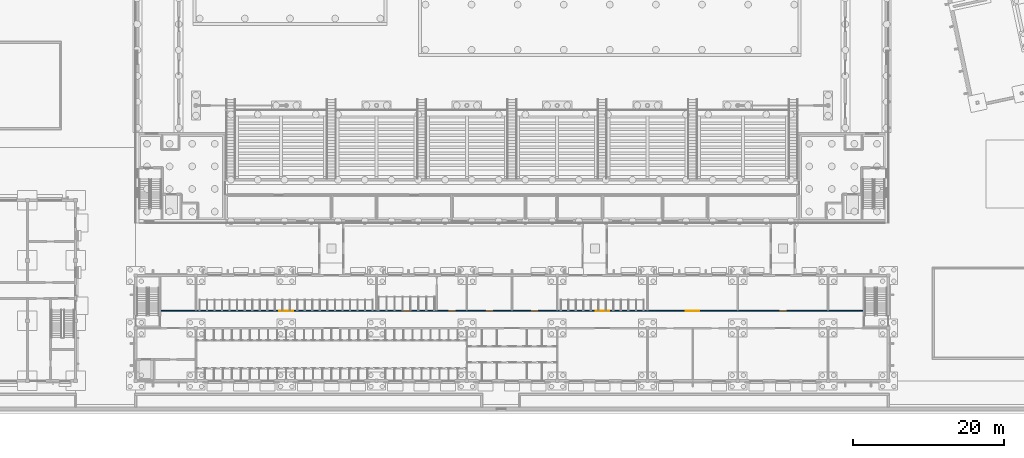
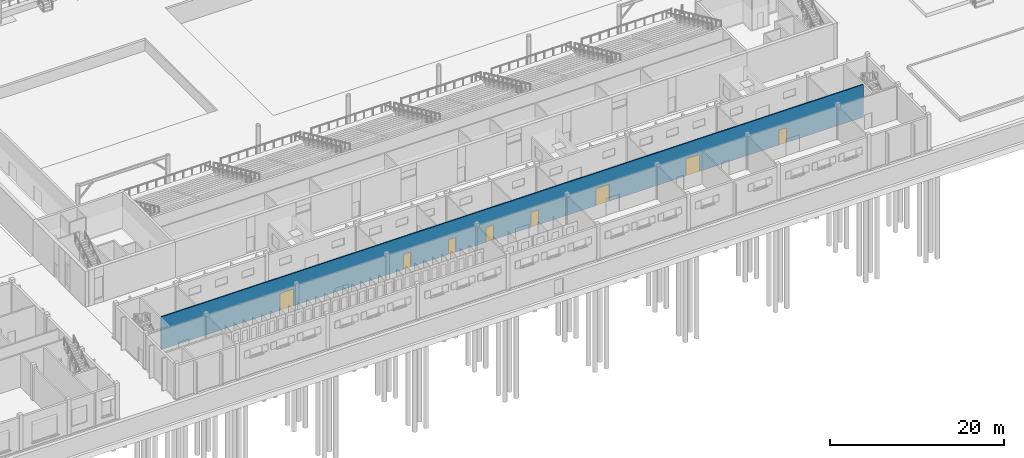
# One storey, part 87 of 157: 8 doors, 1 wall, 8 openings.
"""IFC4 building model written with IfcOpenShell, lengths in metres."""

from ifc_helpers import new_model, si_unit, direction, frame, frame_2d, origin, place, context, subcontext, project, spatial, rectangle, extrude, material, layer, layer_set, type_object, element, fill, save


model = new_model("IFC4")

# Units and contexts
model_context = context("Model", 3, precision=1e-05, world=origin(), true_north=direction((0.0, 1.0)))
body_context = subcontext(model_context, "Body", "Model", "MODEL_VIEW")
ifc_project = project(units=[si_unit("LENGTHUNIT", "METRE"), si_unit("AREAUNIT", "SQUARE_METRE"), si_unit("VOLUMEUNIT", "CUBIC_METRE"), si_unit("PLANEANGLEUNIT", "RADIAN"), si_unit("MASSUNIT", "GRAM", prefix="KILO")], contexts=[model_context])

# Site, building, storey
site_placement = place(None, origin())
site = spatial("IfcSite", under=ifc_project, at=site_placement, CompositionType="ELEMENT")
building_placement = place(site_placement, origin())
building = spatial("IfcBuilding", under=site, at=building_placement, Name="Windward Yard Aquatics Centre", CompositionType="ELEMENT")
storey_placement = place(building_placement, origin())
storey = spatial("IfcBuildingStorey", under=building, at=storey_placement, Name="L00", CompositionType="ELEMENT", Elevation=0.0)

# Wall, openings, doors
ifc_material_1 = material(Name="Concrete masonry unit plastered", Category="masonry")
ifc_layer = layer(ifc_material_1, 0.14990234375)
ifc_layer_set = layer_set([ifc_layer], Name="C block partition 150")
wall_type = type_object("IfcWallType", Name="C block partition 150", PredefinedType="PARTITIONING", material=ifc_layer_set)
wall_placement = place(storey_placement, frame((55.300048828125, 14.300048828125, 0.0), z_axis=(0.0, 0.0, 1.0), x_axis=(1.0, 0.0, 0.0)))
wall = element("IfcWall", 1, at=wall_placement, inside=storey, type_object=wall_type, Name="C.W.L00.SP.N.1", PredefinedType="PARTITIONING", context=body_context, shape_type="SweptSolid", body=[
    extrude(rectangle(XDim=93.39990234375, YDim=0.14990234375, at=frame_2d((46.699951171875, 0.0))), origin(), (0.0, 0.0, 1.0), 4.60009765625),
])
opening_1_placement = place(wall_placement, frame((15.800048828125, 0.0, 0.0)))
opening_1 = element("IfcOpeningElement", 2, at=opening_1_placement, cuts=wall, Name="Opening C0015", PredefinedType="OPENING", context=body_context, shape_type="SweptSolid", body=[
    extrude(rectangle(XDim=1.800048828125, YDim=2.39990234375, at=frame_2d((0.89990234375, 1.199951171875))), frame((0.0, 0.0849609375, 0.0), z_axis=(0.0, -1.0, 0.0), x_axis=(1.0, 0.0, 0.0)), (0.0, 0.0, 1.0), 0.169921875),
])
opening_2_placement = place(wall_placement, frame((32.199951171875, 0.0, 0.0)))
opening_2 = element("IfcOpeningElement", 3, at=opening_2_placement, cuts=wall, Name="Opening C0016", PredefinedType="OPENING", context=body_context, shape_type="SweptSolid", body=[
    extrude(rectangle(XDim=1.0, YDim=2.10009765625, at=frame_2d((0.5, 1.050048828125))), frame((0.0, 0.0849609375, 0.0), z_axis=(0.0, -1.0, 0.0), x_axis=(1.0, 0.0, 0.0)), (0.0, 0.0, 1.0), 0.169921875),
])
opening_3_placement = place(wall_placement, frame((38.199951171875, 0.0, 0.0)))
opening_3 = element("IfcOpeningElement", 4, at=opening_3_placement, cuts=wall, Name="Opening C0017", PredefinedType="OPENING", context=body_context, shape_type="SweptSolid", body=[
    extrude(rectangle(XDim=1.0, YDim=2.10009765625, at=frame_2d((0.5, 1.050048828125))), frame((0.0, 0.0849609375, 0.0), z_axis=(0.0, -1.0, 0.0), x_axis=(1.0, 0.0, 0.0)), (0.0, 0.0, 1.0), 0.169921875),
])
opening_4_placement = place(wall_placement, frame((43.199951171875, 0.0, 0.0)))
opening_4 = element("IfcOpeningElement", 5, at=opening_4_placement, cuts=wall, Name="Opening C0018", PredefinedType="OPENING", context=body_context, shape_type="SweptSolid", body=[
    extrude(rectangle(XDim=1.0, YDim=2.10009765625, at=frame_2d((0.5, 1.050048828125))), frame((0.0, 0.0849609375, 0.0), z_axis=(0.0, -1.0, 0.0), x_axis=(1.0, 0.0, 0.0)), (0.0, 0.0, 1.0), 0.169921875),
])
opening_5_placement = place(wall_placement, frame((49.199951171875, 0.0, 0.0)))
opening_5 = element("IfcOpeningElement", 6, at=opening_5_placement, cuts=wall, Name="Opening C0019", PredefinedType="OPENING", context=body_context, shape_type="SweptSolid", body=[
    extrude(rectangle(XDim=1.0, YDim=2.10009765625, at=frame_2d((0.5, 1.050048828125))), frame((0.0, 0.0849609375, 0.0), z_axis=(0.0, -1.0, 0.0), x_axis=(1.0, 0.0, 0.0)), (0.0, 0.0, 1.0), 0.169921875),
])
opening_6_placement = place(wall_placement, frame((57.800048828125, 0.0, 0.0)))
opening_6 = element("IfcOpeningElement", 7, at=opening_6_placement, cuts=wall, Name="Opening C0020", PredefinedType="OPENING", context=body_context, shape_type="SweptSolid", body=[
    extrude(rectangle(XDim=1.800048828125, YDim=2.39990234375, at=frame_2d((0.89990234375, 1.199951171875))), frame((0.0, 0.0849609375, 0.0), z_axis=(0.0, -1.0, 0.0), x_axis=(1.0, 0.0, 0.0)), (0.0, 0.0, 1.0), 0.169921875),
])
opening_7_placement = place(wall_placement, frame((69.800048828125, 0.0, 0.0)))
opening_7 = element("IfcOpeningElement", 8, at=opening_7_placement, cuts=wall, Name="Opening C0021", PredefinedType="OPENING", context=body_context, shape_type="SweptSolid", body=[
    extrude(rectangle(XDim=1.800048828125, YDim=2.39990234375, at=frame_2d((0.89990234375, 1.199951171875))), frame((0.0, 0.0849609375, 0.0), z_axis=(0.0, -1.0, 0.0), x_axis=(1.0, 0.0, 0.0)), (0.0, 0.0, 1.0), 0.169921875),
])
opening_8_placement = place(wall_placement, frame((82.199951171875, 0.0, 0.0)))
opening_8 = element("IfcOpeningElement", 9, at=opening_8_placement, cuts=wall, Name="Opening C0022", PredefinedType="OPENING", context=body_context, shape_type="SweptSolid", body=[
    extrude(rectangle(XDim=1.0, YDim=2.10009765625, at=frame_2d((0.5, 1.050048828125))), frame((0.0, 0.0849609375, 0.0), z_axis=(0.0, -1.0, 0.0), x_axis=(1.0, 0.0, 0.0)), (0.0, 0.0, 1.0), 0.169921875),
])
ifc_material_2 = material(Name="Timber door leaf in steel frame", Category="steel")
door_type_1 = type_object("IfcDoorType", Name="C door 1000X2100 FD30S", OperationType="SINGLE_SWING_LEFT", PredefinedType="DOOR", material=ifc_material_2)
door_1_placement = place(opening_2_placement, origin())
door_1 = element("IfcDoor", 10, at=door_1_placement, inside=storey, type_object=door_type_1, Name="Door C0016", OperationType="SINGLE_SWING_LEFT", OverallHeight=2.10009765625, OverallWidth=1.0, PredefinedType="DOOR", context=body_context, shape_type="SweptSolid", body=[
    extrude(rectangle(XDim=1.0, YDim=2.10009765625, at=frame_2d((0.5, 1.050048828125))), frame((0.0, 0.02490234375, 0.0), z_axis=(0.0, -1.0, 0.0), x_axis=(1.0, 0.0, 0.0)), (0.0, 0.0, 1.0), 0.050048828125),
])
fill(opening_2, door_1)
door_2_placement = place(opening_3_placement, origin())
door_2 = element("IfcDoor", 11, at=door_2_placement, inside=storey, type_object=door_type_1, Name="Door C0017", OperationType="SINGLE_SWING_LEFT", OverallHeight=2.10009765625, OverallWidth=1.0, PredefinedType="DOOR", context=body_context, shape_type="SweptSolid", body=[
    extrude(rectangle(XDim=1.0, YDim=2.10009765625, at=frame_2d((0.5, 1.050048828125))), frame((0.0, 0.02490234375, 0.0), z_axis=(0.0, -1.0, 0.0), x_axis=(1.0, 0.0, 0.0)), (0.0, 0.0, 1.0), 0.050048828125),
])
fill(opening_3, door_2)
door_3_placement = place(opening_4_placement, origin())
door_3 = element("IfcDoor", 12, at=door_3_placement, inside=storey, type_object=door_type_1, Name="Door C0018", OperationType="SINGLE_SWING_LEFT", OverallHeight=2.10009765625, OverallWidth=1.0, PredefinedType="DOOR", context=body_context, shape_type="SweptSolid", body=[
    extrude(rectangle(XDim=1.0, YDim=2.10009765625, at=frame_2d((0.5, 1.050048828125))), frame((0.0, 0.02490234375, 0.0), z_axis=(0.0, -1.0, 0.0), x_axis=(1.0, 0.0, 0.0)), (0.0, 0.0, 1.0), 0.050048828125),
])
fill(opening_4, door_3)
door_4_placement = place(opening_5_placement, origin())
door_4 = element("IfcDoor", 13, at=door_4_placement, inside=storey, type_object=door_type_1, Name="Door C0019", OperationType="SINGLE_SWING_LEFT", OverallHeight=2.10009765625, OverallWidth=1.0, PredefinedType="DOOR", context=body_context, shape_type="SweptSolid", body=[
    extrude(rectangle(XDim=1.0, YDim=2.10009765625, at=frame_2d((0.5, 1.050048828125))), frame((0.0, 0.02490234375, 0.0), z_axis=(0.0, -1.0, 0.0), x_axis=(1.0, 0.0, 0.0)), (0.0, 0.0, 1.0), 0.050048828125),
])
fill(opening_5, door_4)
door_5_placement = place(opening_8_placement, origin())
door_5 = element("IfcDoor", 14, at=door_5_placement, inside=storey, type_object=door_type_1, Name="Door C0022", OperationType="SINGLE_SWING_LEFT", OverallHeight=2.10009765625, OverallWidth=1.0, PredefinedType="DOOR", context=body_context, shape_type="SweptSolid", body=[
    extrude(rectangle(XDim=1.0, YDim=2.10009765625, at=frame_2d((0.5, 1.050048828125))), frame((0.0, 0.02490234375, 0.0), z_axis=(0.0, -1.0, 0.0), x_axis=(1.0, 0.0, 0.0)), (0.0, 0.0, 1.0), 0.050048828125),
])
fill(opening_8, door_5)
door_type_2 = type_object("IfcDoorType", Name="C double door 1800X2400 FD30S", OperationType="DOUBLE_DOOR_SINGLE_SWING", PredefinedType="DOOR", material=ifc_material_2)
door_6_placement = place(opening_1_placement, origin())
door_6 = element("IfcDoor", 15, at=door_6_placement, inside=storey, type_object=door_type_2, Name="Door C0015", OperationType="DOUBLE_DOOR_SINGLE_SWING", OverallHeight=2.39990234375, OverallWidth=1.800048828125, PredefinedType="DOOR", context=body_context, shape_type="SweptSolid", body=[
    extrude(rectangle(XDim=1.800048828125, YDim=2.39990234375, at=frame_2d((0.89990234375, 1.199951171875))), frame((0.0, 0.02490234375, 0.0), z_axis=(0.0, -1.0, 0.0), x_axis=(1.0, 0.0, 0.0)), (0.0, 0.0, 1.0), 0.050048828125),
])
fill(opening_1, door_6)
door_7_placement = place(opening_6_placement, origin())
door_7 = element("IfcDoor", 16, at=door_7_placement, inside=storey, type_object=door_type_2, Name="Door C0020", OperationType="DOUBLE_DOOR_SINGLE_SWING", OverallHeight=2.39990234375, OverallWidth=1.800048828125, PredefinedType="DOOR", context=body_context, shape_type="SweptSolid", body=[
    extrude(rectangle(XDim=1.800048828125, YDim=2.39990234375, at=frame_2d((0.89990234375, 1.199951171875))), frame((0.0, 0.02490234375, 0.0), z_axis=(0.0, -1.0, 0.0), x_axis=(1.0, 0.0, 0.0)), (0.0, 0.0, 1.0), 0.050048828125),
])
fill(opening_6, door_7)
door_8_placement = place(opening_7_placement, origin())
door_8 = element("IfcDoor", 17, at=door_8_placement, inside=storey, type_object=door_type_2, Name="Door C0021", OperationType="DOUBLE_DOOR_SINGLE_SWING", OverallHeight=2.39990234375, OverallWidth=1.800048828125, PredefinedType="DOOR", context=body_context, shape_type="SweptSolid", body=[
    extrude(rectangle(XDim=1.800048828125, YDim=2.39990234375, at=frame_2d((0.89990234375, 1.199951171875))), frame((0.0, 0.02490234375, 0.0), z_axis=(0.0, -1.0, 0.0), x_axis=(1.0, 0.0, 0.0)), (0.0, 0.0, 1.0), 0.050048828125),
])
fill(opening_7, door_8)

save(model, "model.ifc")
